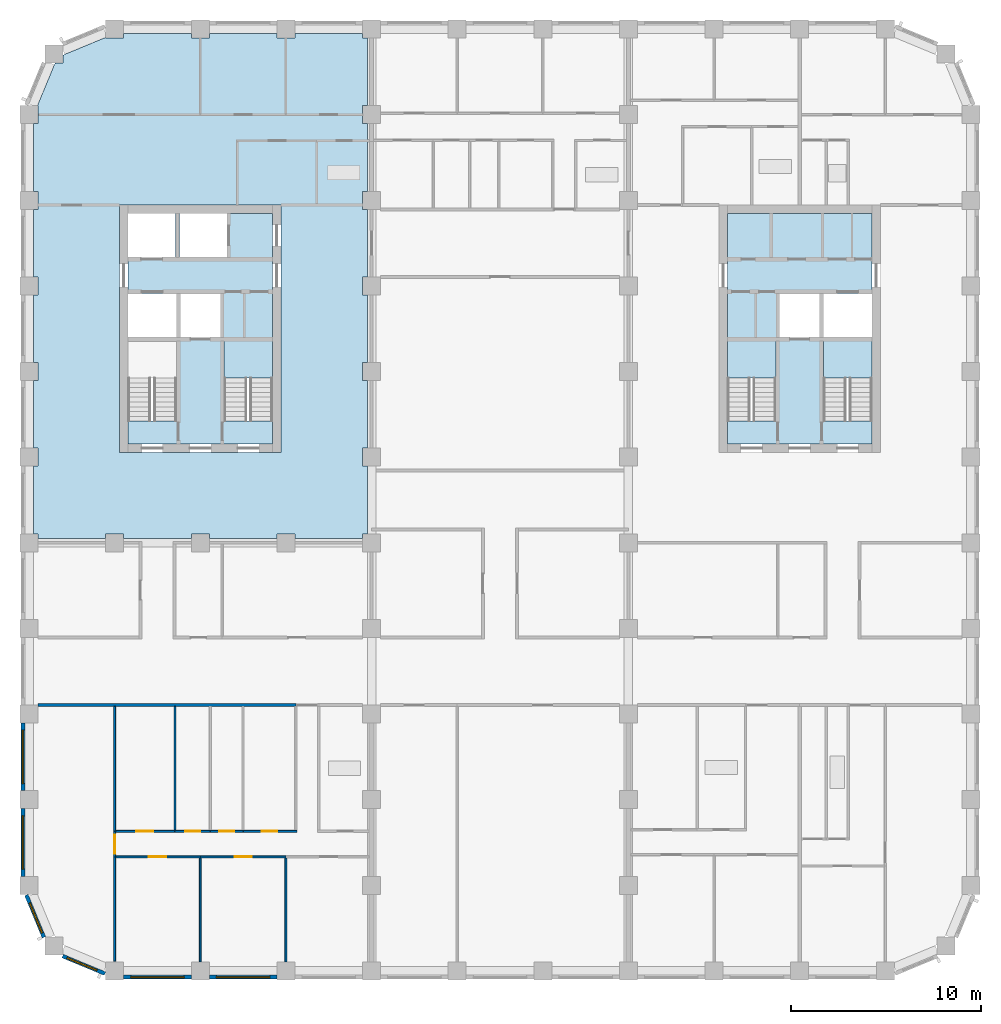
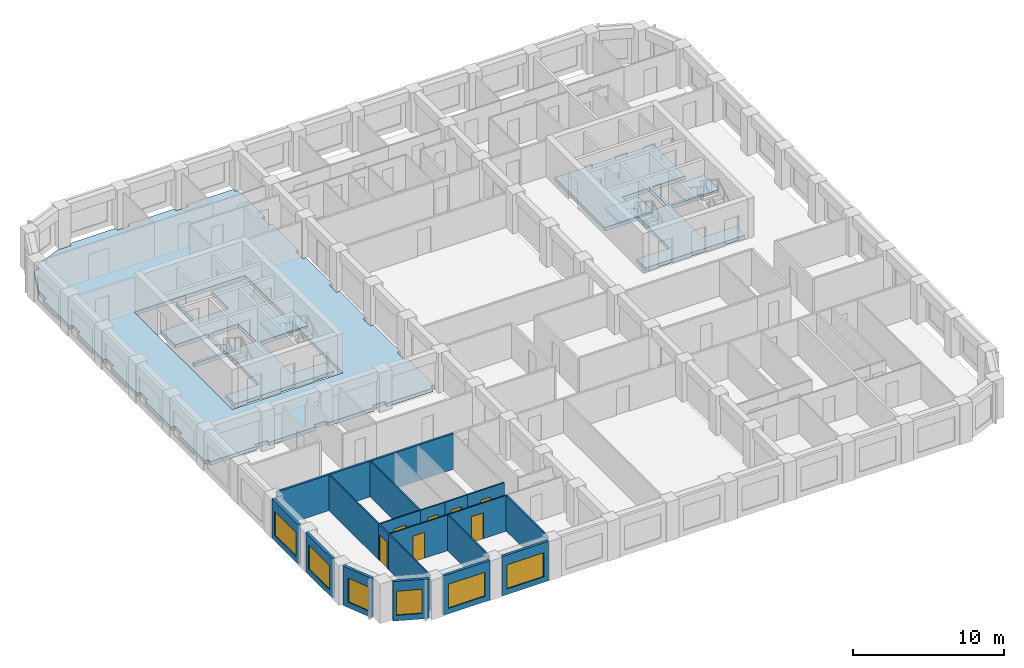
# One storey, part 2 of 13: 19 walls, 7 doors, 6 slabs, 6 windows, 13 openings, 3 elements without a shape of their own.
"""IFC4 building model written with IfcOpenShell, lengths in metres."""

from ifc_helpers import new_model, si_unit, direction, frame, frame_2d, origin, place, context, subcontext, project, spatial, polyline, rectangle, outline, extrude, material, layer, layer_set, type_object, element, fill, aggregate, save


model = new_model("IFC4")

# Units and contexts
model_context = context("Model", 3, precision=1e-05, world=origin(), true_north=direction((0.0, 1.0)))
body_context = subcontext(model_context, "Body", "Model", "MODEL_VIEW")
ifc_project = project(units=[si_unit("LENGTHUNIT", "METRE"), si_unit("AREAUNIT", "SQUARE_METRE"), si_unit("VOLUMEUNIT", "CUBIC_METRE"), si_unit("PLANEANGLEUNIT", "RADIAN"), si_unit("MASSUNIT", "GRAM", prefix="KILO")], contexts=[model_context])

# Site, building, storey
site_placement = place(None, origin())
site = spatial("IfcSite", under=ifc_project, at=site_placement, CompositionType="ELEMENT")
building_placement = place(site_placement, origin())
building = spatial("IfcBuilding", under=site, at=building_placement, Name="Girih Gate Residences", CompositionType="ELEMENT")
storey_placement = place(building_placement, frame((0.0, 0.0, 133.39990234375)))
storey = spatial("IfcBuildingStorey", under=building, at=storey_placement, Name="L37", CompositionType="ELEMENT", Elevation=133.39990234375)

# Slabs
ifc_material_1 = material(Name="Concrete C40/50", Category="concrete")
ifc_layer_1 = layer(ifc_material_1, 0.300048828125)
ifc_layer_set_1 = layer_set([ifc_layer_1], Name="Core floor slab 300")
slab_type_1 = type_object("IfcSlabType", Name="Core floor slab 300", PredefinedType="FLOOR", material=ifc_layer_set_1)
slab_1_placement = place(storey_placement, frame((0.0, 0.0, -0.2998046875)))
element("IfcSlab", 1, at=slab_1_placement, inside=storey, type_object=slab_type_1, Name="L37 W core floor", PredefinedType="FLOOR", context=body_context, shape_type="SweptSolid", body=[
    extrude(outline(polyline([(12.800048828125, 27.699951171875), (5.199951171875, 27.699951171875), (5.199951171875, 28.900634765625), (7.75, 28.900634765625), (7.75, 33.10009765625), (5.199951171875, 33.10009765625), (5.199951171875, 33.300048828125), (7.75, 33.300048828125), (7.75, 35.60009765625), (5.199951171875, 35.60009765625), (5.199951171875, 37.5), (7.699951171875, 37.5), (7.699951171875, 39.800048828125), (7.89990234375, 39.800048828125), (7.89990234375, 37.5), (10.39990234375, 37.5), (10.39990234375, 39.800048828125), (12.800048828125, 39.800048828125), (12.800048828125, 33.10009765625), (10.25, 33.10009765625), (10.25, 28.900634765625), (12.800048828125, 28.900634765625), (12.800048828125, 27.699951171875)]), holes=[polyline([(7.949951171875, 33.300048828125), (10.050048828125, 33.300048828125), (10.050048828125, 35.60009765625), (7.949951171875, 35.60009765625), (7.949951171875, 33.300048828125)])]), origin(), (0.0, 0.0, 1.0), 0.2998046875),
])
slab_2_placement = place(storey_placement, frame((0.0, 0.0, -0.2998046875)))
element("IfcSlab", 2, at=slab_2_placement, inside=storey, type_object=slab_type_1, Name="L37 E core floor", PredefinedType="FLOOR", context=body_context, shape_type="SweptSolid", body=[
    extrude(outline(polyline([(44.300048828125, 27.699951171875), (36.699951171875, 27.699951171875), (36.699951171875, 28.900634765625), (39.25, 28.900634765625), (39.25, 33.10009765625), (36.699951171875, 33.10009765625), (36.699951171875, 39.800048828125), (44.300048828125, 39.800048828125), (44.300048828125, 35.60009765625), (41.75, 35.60009765625), (41.75, 33.300048828125), (44.300048828125, 33.300048828125), (44.300048828125, 33.10009765625), (41.75, 33.10009765625), (41.75, 28.900634765625), (44.300048828125, 28.900634765625), (44.300048828125, 27.699951171875)]), holes=[polyline([(39.449951171875, 33.300048828125), (41.550048828125, 33.300048828125), (41.550048828125, 35.60009765625), (39.449951171875, 35.60009765625), (39.449951171875, 33.300048828125)])]), origin(), (0.0, 0.0, 1.0), 0.2998046875),
])
ifc_layer_2 = layer(ifc_material_1, 0.300048828125)
ifc_layer_set_2 = layer_set([ifc_layer_2], Name="Floor slab PT 300 Concrete C40/50")
slab_type_2 = type_object("IfcSlabType", Name="Floor slab PT 300 Concrete C40/50", PredefinedType="FLOOR", material=ifc_layer_set_2)
slab_3_placement = place(storey_placement, frame((0.0, 0.0, -0.2998046875)))
element("IfcSlab", 3, at=slab_3_placement, inside=storey, type_object=slab_type_2, Name="Floor slab L37 3", PredefinedType="FLOOR", context=body_context, shape_type="SweptSolid", body=[
    extrude(outline(polyline([(0.22509765625, 26.52490234375), (0.22509765625, 22.97509765625), (0.47509765625, 22.97509765625), (0.47509765625, 22.72509765625), (4.02490234375, 22.72509765625), (4.02490234375, 22.97509765625), (4.97509765625, 22.97509765625), (4.97509765625, 22.72509765625), (8.52490234375, 22.72509765625), (8.52490234375, 22.97509765625), (9.47509765625, 22.97509765625), (9.47509765625, 22.72509765625), (13.02490234375, 22.72509765625), (13.02490234375, 22.97509765625), (13.97509765625, 22.97509765625), (13.97509765625, 22.72509765625), (17.52490234375, 22.72509765625), (17.52490234375, 22.97509765625), (17.77490234375, 22.97509765625), (17.77490234375, 26.52490234375), (17.52490234375, 26.52490234375), (17.52490234375, 27.47509765625), (17.77490234375, 27.47509765625), (17.77490234375, 31.02490234375), (17.52490234375, 31.02490234375), (17.52490234375, 31.97509765625), (17.77490234375, 31.97509765625), (17.77490234375, 35.52490234375), (17.52490234375, 35.52490234375), (17.52490234375, 36.47509765625), (17.77490234375, 36.47509765625), (17.77490234375, 40.02490234375), (17.52490234375, 40.02490234375), (17.52490234375, 40.97509765625), (17.77490234375, 40.97509765625), (17.77490234375, 44.52490234375), (17.52490234375, 44.52490234375), (17.52490234375, 45.47509765625), (17.77490234375, 45.47509765625), (17.77490234375, 49.02490234375), (17.52490234375, 49.02490234375), (17.52490234375, 49.27490234375), (13.97509765625, 49.27490234375), (13.97509765625, 49.02490234375), (13.02490234375, 49.02490234375), (13.02490234375, 49.27490234375), (9.47509765625, 49.27490234375), (9.47509765625, 49.02490234375), (8.52490234375, 49.02490234375), (8.52490234375, 49.27490234375), (4.97509765625, 49.27490234375), (4.97509765625, 49.02490234375), (4.02490234375, 49.02490234375), (4.02490234375, 49.059814453125), (1.79296875, 48.13525390625), (1.79296875, 47.70703125), (1.36474609375, 47.70703125), (0.440185546875, 45.47509765625), (0.47509765625, 45.47509765625), (0.47509765625, 44.52490234375), (0.22509765625, 44.52490234375), (0.22509765625, 40.97509765625), (0.47509765625, 40.97509765625), (0.47509765625, 40.02490234375), (0.22509765625, 40.02490234375), (0.22509765625, 36.47509765625), (0.47509765625, 36.47509765625), (0.47509765625, 35.52490234375), (0.22509765625, 35.52490234375), (0.22509765625, 31.97509765625), (0.47509765625, 31.97509765625), (0.47509765625, 31.02490234375), (0.22509765625, 31.02490234375), (0.22509765625, 27.47509765625), (0.47509765625, 27.47509765625), (0.47509765625, 26.52490234375), (0.22509765625, 26.52490234375)]), holes=[polyline([(13.25, 40.25), (13.25, 27.25), (4.75, 27.25), (4.75, 40.25), (13.25, 40.25)])]), origin(), (0.0, 0.0, 1.0), 0.2998046875),
])

# Stair, slab
stair_type = type_object("IfcStairType", Name="Exit stair", PredefinedType="HALF_TURN_STAIR", material=ifc_material_1)
stair_1_placement = place(storey_placement, origin())
stair_1 = element("IfcStair", 4, at=stair_1_placement, inside=storey, type_object=stair_type, Name="L37 Exit Stair ST-W2", PredefinedType="HALF_TURN_STAIR")
ifc_layer_3 = layer(ifc_material_1, 0.199951171875)
ifc_layer_set_3 = layer_set([ifc_layer_3], Name="Stair landing 200")
slab_type_3 = type_object("IfcSlabType", Name="Stair landing 200", PredefinedType="LANDING", material=ifc_layer_set_3)
slab_4_placement = place(storey_placement, frame((0.0, 0.0, 1.400146484375)))
slab_4 = element("IfcSlab", 5, at=slab_4_placement, type_object=slab_type_3, Name="ST-W2 landing 1", PredefinedType="LANDING", context=body_context, shape_type="SweptSolid", body=[
    extrude(outline(polyline([(12.800048828125, 31.14990234375), (12.800048828125, 33.10009765625), (10.25, 33.10009765625), (10.25, 31.14990234375), (12.800048828125, 31.14990234375)])), origin(), (0.0, 0.0, 1.0), 0.199951171875),
])
aggregate(stair_1, [slab_4])

stair_2_placement = place(storey_placement, origin())
stair_2 = element("IfcStair", 6, at=stair_2_placement, inside=storey, type_object=stair_type, Name="L37 Exit Stair ST-E1", PredefinedType="HALF_TURN_STAIR")
slab_5_placement = place(storey_placement, frame((0.0, 0.0, 1.400146484375)))
slab_5 = element("IfcSlab", 7, at=slab_5_placement, type_object=slab_type_3, Name="ST-E1 landing 1", PredefinedType="LANDING", context=body_context, shape_type="SweptSolid", body=[
    extrude(outline(polyline([(44.300048828125, 31.14990234375), (44.300048828125, 33.10009765625), (41.75, 33.10009765625), (41.75, 31.14990234375), (44.300048828125, 31.14990234375)])), origin(), (0.0, 0.0, 1.0), 0.199951171875),
])
aggregate(stair_2, [slab_5])

stair_3_placement = place(storey_placement, origin())
stair_3 = element("IfcStair", 8, at=stair_3_placement, inside=storey, type_object=stair_type, Name="L37 Exit Stair ST-E2", PredefinedType="HALF_TURN_STAIR")
slab_6_placement = place(storey_placement, frame((0.0, 0.0, 1.400146484375)))
slab_6 = element("IfcSlab", 9, at=slab_6_placement, type_object=slab_type_3, Name="ST-E2 landing 1", PredefinedType="LANDING", context=body_context, shape_type="SweptSolid", body=[
    extrude(outline(polyline([(39.25, 31.14990234375), (39.25, 33.10009765625), (36.699951171875, 33.10009765625), (36.699951171875, 31.14990234375), (39.25, 31.14990234375)])), origin(), (0.0, 0.0, 1.0), 0.199951171875),
])
aggregate(stair_3, [slab_6])

# Walls
ifc_material_2 = material(Name="Gypsum board on steel studs", Category="steel")
ifc_layer_4 = layer(ifc_material_2, 0.14990234375)
ifc_layer_set_4 = layer_set([ifc_layer_4], Name="Compartment wall 150 mm")
wall_type_1 = type_object("IfcWallType", Name="Compartment wall 150 mm", PredefinedType="PARTITIONING", material=ifc_layer_set_4)
wall_1_placement = place(storey_placement, frame((0.47509765625, 13.97509765625, 0.0), z_axis=(0.0, 0.0, 1.0), x_axis=(1.0, 0.0, 0.0)))
element("IfcWall", 10, at=wall_1_placement, inside=storey, type_object=wall_type_1, Name="L37 partition", PredefinedType="PARTITIONING", context=body_context, shape_type="SweptSolid", body=[
    extrude(rectangle(XDim=13.5498046875, YDim=0.14990234375, at=frame_2d((6.77490234375, 0.0))), origin(), (0.0, 0.0, 1.0), 2.900146484375),
])
ifc_layer_5 = layer(ifc_material_2, 0.10009765625)
ifc_layer_set_5 = layer_set([ifc_layer_5], Name="Partition 100 mm")
wall_type_2 = type_object("IfcWallType", Name="Partition 100 mm", PredefinedType="PARTITIONING", material=ifc_layer_set_5)
wall_2_placement = place(storey_placement, frame((9.0, 0.47509765625, 0.0), z_axis=(0.0, 0.0, 1.0), x_axis=(0.0, 1.0, 0.0)))
element("IfcWall", 11, at=wall_2_placement, inside=storey, type_object=wall_type_2, Name="L37 partition", PredefinedType="PARTITIONING", context=body_context, shape_type="SweptSolid", body=[
    extrude(rectangle(XDim=5.469970703125, YDim=0.10009765625, at=frame_2d((2.73486328125, 0.0))), origin(), (0.0, 0.0, 1.0), 2.900146484375),
])

# Wall, opening, door
wall_3_placement = place(storey_placement, frame((9.0, 5.9951171875, 0.0), z_axis=(0.0, 0.0, 1.0), x_axis=(-1.0, 0.0, 0.0)))
wall_3 = element("IfcWall", 12, at=wall_3_placement, inside=storey, type_object=wall_type_2, Name="L37 partition", PredefinedType="PARTITIONING", context=body_context, shape_type="SweptSolid", body=[
    extrude(rectangle(XDim=4.449951171875, YDim=0.10009765625, at=frame_2d((2.22509765625, 0.0))), origin(), (0.0, 0.0, 1.0), 2.900146484375),
])
opening_1_placement = place(wall_3_placement, frame((1.800048828125, 0.0, 0.0)))
opening_1 = element("IfcOpeningElement", 13, at=opening_1_placement, cuts=wall_3, Name="Opening A37-002", PredefinedType="OPENING", context=body_context, shape_type="SweptSolid", body=[
    extrude(rectangle(XDim=0.89990234375, YDim=2.10009765625, at=frame_2d((0.449951171875, 1.050048828125))), frame((0.0, 0.06005859375, 0.0), z_axis=(0.0, -1.0, 0.0), x_axis=(1.0, 0.0, 0.0)), (0.0, 0.0, 1.0), 0.1201171875),
])
ifc_material_3 = material(Name="Timber", Category="wood")
door_type_1 = type_object("IfcDoorType", Name="Bedroom door 900x2100", OperationType="NOTDEFINED", PredefinedType="DOOR", material=ifc_material_3)
door_1_placement = place(opening_1_placement, origin())
door_1 = element("IfcDoor", 14, at=door_1_placement, inside=storey, type_object=door_type_1, Name="Door A37-002", OperationType="SINGLE_SWING_RIGHT", OverallHeight=2.10009765625, OverallWidth=0.89990234375, PredefinedType="DOOR", context=body_context, shape_type="SweptSolid", body=[
    extrude(rectangle(XDim=0.89990234375, YDim=2.10009765625, at=frame_2d((0.449951171875, 1.050048828125))), frame((0.0, 0.02490234375, 0.0), z_axis=(0.0, -1.0, 0.0), x_axis=(1.0, 0.0, 0.0)), (0.0, 0.0, 1.0), 0.050048828125),
])
fill(opening_1, door_1)

# Walls
wall_4_placement = place(storey_placement, frame((4.5, 0.51416015625, 0.0), z_axis=(0.0, 0.0, 1.0), x_axis=(0.0, 1.0, 0.0)))
element("IfcWall", 15, at=wall_4_placement, inside=storey, type_object=wall_type_2, Name="L37 partition", PredefinedType="PARTITIONING", context=body_context, shape_type="SweptSolid", body=[
    extrude(rectangle(XDim=5.48095703125, YDim=0.10009765625, at=frame_2d((2.740478515625, 0.0))), origin(), (0.0, 0.0, 1.0), 2.900146484375),
])
wall_5_placement = place(storey_placement, frame((13.5, 0.47509765625, 0.0), z_axis=(0.0, 0.0, 1.0), x_axis=(0.0, 1.0, 0.0)))
element("IfcWall", 16, at=wall_5_placement, inside=storey, type_object=wall_type_2, Name="L37 partition", PredefinedType="PARTITIONING", context=body_context, shape_type="SweptSolid", body=[
    extrude(rectangle(XDim=5.469970703125, YDim=0.10009765625, at=frame_2d((2.73486328125, 0.0))), origin(), (0.0, 0.0, 1.0), 2.900146484375),
])

# Wall, opening, door
wall_6_placement = place(storey_placement, frame((13.5, 5.9951171875, 0.0), z_axis=(0.0, 0.0, 1.0), x_axis=(-1.0, 0.0, 0.0)))
wall_6 = element("IfcWall", 17, at=wall_6_placement, inside=storey, type_object=wall_type_2, Name="L37 partition", PredefinedType="PARTITIONING", context=body_context, shape_type="SweptSolid", body=[
    extrude(rectangle(XDim=4.5, YDim=0.10009765625, at=frame_2d((2.25, 0.0))), origin(), (0.0, 0.0, 1.0), 2.900146484375),
])
opening_2_placement = place(wall_6_placement, frame((1.800048828125, 0.0, 0.0)))
opening_2 = element("IfcOpeningElement", 18, at=opening_2_placement, cuts=wall_6, Name="Opening A37-003", PredefinedType="OPENING", context=body_context, shape_type="SweptSolid", body=[
    extrude(rectangle(XDim=0.89990234375, YDim=2.10009765625, at=frame_2d((0.449951171875, 1.050048828125))), frame((0.0, 0.06005859375, 0.0), z_axis=(0.0, -1.0, 0.0), x_axis=(1.0, 0.0, 0.0)), (0.0, 0.0, 1.0), 0.1201171875),
])
door_2_placement = place(opening_2_placement, origin())
door_2 = element("IfcDoor", 19, at=door_2_placement, inside=storey, type_object=door_type_1, Name="Door A37-003", OperationType="SINGLE_SWING_LEFT", OverallHeight=2.10009765625, OverallWidth=0.89990234375, PredefinedType="DOOR", context=body_context, shape_type="SweptSolid", body=[
    extrude(rectangle(XDim=0.89990234375, YDim=2.10009765625, at=frame_2d((0.449951171875, 1.050048828125))), frame((0.0, 0.02490234375, 0.0), z_axis=(0.0, -1.0, 0.0), x_axis=(1.0, 0.0, 0.0)), (0.0, 0.0, 1.0), 0.050048828125),
])
fill(opening_2, door_2)

wall_7_placement = place(storey_placement, frame((11.24560546875, 7.3349609375, 0.0), z_axis=(0.0, 0.0, 1.0), x_axis=(1.0, 0.0, 0.0)))
wall_7 = element("IfcWall", 20, at=wall_7_placement, inside=storey, type_object=wall_type_2, Name="L37 partition", PredefinedType="PARTITIONING", context=body_context, shape_type="SweptSolid", body=[
    extrude(rectangle(XDim=2.829345703125, YDim=0.10009765625, at=frame_2d((1.41455078125, 0.0))), origin(), (0.0, 0.0, 1.0), 2.900146484375),
])
opening_3_placement = place(wall_7_placement, frame((0.98974609375, 0.0, 0.0)))
opening_3 = element("IfcOpeningElement", 21, at=opening_3_placement, cuts=wall_7, Name="Opening A37-005", PredefinedType="OPENING", context=body_context, shape_type="SweptSolid", body=[
    extrude(rectangle(XDim=0.800048828125, YDim=2.10009765625, at=frame_2d((0.39990234375, 1.050048828125))), frame((0.0, 0.06005859375, 0.0), z_axis=(0.0, -1.0, 0.0), x_axis=(1.0, 0.0, 0.0)), (0.0, 0.0, 1.0), 0.1201171875),
])
door_type_2 = type_object("IfcDoorType", Name="Store door 800x2100", OperationType="NOTDEFINED", PredefinedType="DOOR", material=ifc_material_3)
door_3_placement = place(opening_3_placement, origin())
door_3 = element("IfcDoor", 22, at=door_3_placement, inside=storey, type_object=door_type_2, Name="Door A37-005", OperationType="SINGLE_SWING_LEFT", OverallHeight=2.10009765625, OverallWidth=0.800048828125, PredefinedType="DOOR", context=body_context, shape_type="SweptSolid", body=[
    extrude(rectangle(XDim=0.800048828125, YDim=2.10009765625, at=frame_2d((0.39990234375, 1.050048828125))), frame((0.0, 0.02490234375, 0.0), z_axis=(0.0, -1.0, 0.0), x_axis=(1.0, 0.0, 0.0)), (0.0, 0.0, 1.0), 0.050048828125),
])
fill(opening_3, door_3)

wall_8_placement = place(storey_placement, frame((4.550048828125, 7.3349609375, 0.0), z_axis=(0.0, 0.0, 1.0), x_axis=(1.0, 0.0, 0.0)))
wall_8 = element("IfcWall", 23, at=wall_8_placement, inside=storey, type_object=wall_type_2, Name="L37 partition", PredefinedType="PARTITIONING", context=body_context, shape_type="SweptSolid", body=[
    extrude(rectangle(XDim=3.120361328125, YDim=0.10009765625, at=frame_2d((1.56005859375, 0.0))), origin(), (0.0, 0.0, 1.0), 2.900146484375),
])
opening_4_placement = place(wall_8_placement, frame((1.085205078125, 0.0, 0.0)))
opening_4 = element("IfcOpeningElement", 24, at=opening_4_placement, cuts=wall_8, Name="Opening A37-006", PredefinedType="OPENING", context=body_context, shape_type="SweptSolid", body=[
    extrude(rectangle(XDim=0.89990234375, YDim=2.10009765625, at=frame_2d((0.449951171875, 1.050048828125))), frame((0.0, 0.06005859375, 0.0), z_axis=(0.0, -1.0, 0.0), x_axis=(1.0, 0.0, 0.0)), (0.0, 0.0, 1.0), 0.1201171875),
])
door_type_3 = type_object("IfcDoorType", Name="Kitchen door 900x2100", OperationType="NOTDEFINED", PredefinedType="DOOR", material=ifc_material_3)
door_4_placement = place(opening_4_placement, origin())
door_4 = element("IfcDoor", 25, at=door_4_placement, inside=storey, type_object=door_type_3, Name="Door A37-006", OperationType="SINGLE_SWING_LEFT", OverallHeight=2.10009765625, OverallWidth=0.89990234375, PredefinedType="DOOR", context=body_context, shape_type="SweptSolid", body=[
    extrude(rectangle(XDim=0.89990234375, YDim=2.10009765625, at=frame_2d((0.449951171875, 1.050048828125))), frame((0.0, 0.02490234375, 0.0), z_axis=(0.0, -1.0, 0.0), x_axis=(1.0, 0.0, 0.0)), (0.0, 0.0, 1.0), 0.050048828125),
])
fill(opening_4, door_4)

wall_9_placement = place(storey_placement, frame((4.5, 5.9951171875, 0.0), z_axis=(0.0, 0.0, 1.0), x_axis=(0.0, 1.0, 0.0)))
wall_9 = element("IfcWall", 26, at=wall_9_placement, inside=storey, type_object=wall_type_2, Name="L37 partition", PredefinedType="PARTITIONING", context=body_context, shape_type="SweptSolid", body=[
    extrude(rectangle(XDim=1.33984375, YDim=0.10009765625, at=frame_2d((0.669921875, 0.0))), origin(), (0.0, 0.0, 1.0), 2.900146484375),
])
opening_5_placement = place(wall_9_placement, frame((0.169921875, 0.0, 0.0)))
opening_5 = element("IfcOpeningElement", 27, at=opening_5_placement, cuts=wall_9, Name="Opening A37-007", PredefinedType="OPENING", context=body_context, shape_type="SweptSolid", body=[
    extrude(rectangle(XDim=1.0, YDim=2.10009765625, at=frame_2d((0.5, 1.050048828125))), frame((0.0, 0.06005859375, 0.0), z_axis=(0.0, -1.0, 0.0), x_axis=(1.0, 0.0, 0.0)), (0.0, 0.0, 1.0), 0.1201171875),
])
door_type_4 = type_object("IfcDoorType", Name="Living room door 1000x2100", OperationType="NOTDEFINED", PredefinedType="DOOR", material=ifc_material_3)
door_5_placement = place(opening_5_placement, origin())
door_5 = element("IfcDoor", 28, at=door_5_placement, inside=storey, type_object=door_type_4, Name="Door A37-007", OperationType="SINGLE_SWING_LEFT", OverallHeight=2.10009765625, OverallWidth=1.0, PredefinedType="DOOR", context=body_context, shape_type="SweptSolid", body=[
    extrude(rectangle(XDim=1.0, YDim=2.10009765625, at=frame_2d((0.5, 1.050048828125))), frame((0.0, 0.02490234375, 0.0), z_axis=(0.0, -1.0, 0.0), x_axis=(1.0, 0.0, 0.0)), (0.0, 0.0, 1.0), 0.050048828125),
])
fill(opening_5, door_5)

wall_10_placement = place(storey_placement, frame((9.5322265625, 7.3349609375, 0.0), z_axis=(0.0, 0.0, 1.0), x_axis=(1.0, 0.0, 0.0)))
wall_10 = element("IfcWall", 29, at=wall_10_placement, inside=storey, type_object=wall_type_2, Name="L37 partition", PredefinedType="PARTITIONING", context=body_context, shape_type="SweptSolid", body=[
    extrude(rectangle(XDim=1.71337890625, YDim=0.10009765625, at=frame_2d((0.856689453125, 0.0))), origin(), (0.0, 0.0, 1.0), 2.900146484375),
])
opening_6_placement = place(wall_10_placement, frame((0.456787109375, 0.0, 0.0)))
opening_6 = element("IfcOpeningElement", 30, at=opening_6_placement, cuts=wall_10, Name="Opening A37-008", PredefinedType="OPENING", context=body_context, shape_type="SweptSolid", body=[
    extrude(rectangle(XDim=0.800048828125, YDim=2.10009765625, at=frame_2d((0.39990234375, 1.050048828125))), frame((0.0, 0.06005859375, 0.0), z_axis=(0.0, -1.0, 0.0), x_axis=(1.0, 0.0, 0.0)), (0.0, 0.0, 1.0), 0.1201171875),
])
door_6_placement = place(opening_6_placement, origin())
door_6 = element("IfcDoor", 31, at=door_6_placement, inside=storey, type_object=door_type_2, Name="Door A37-008", OperationType="SINGLE_SWING_RIGHT", OverallHeight=2.10009765625, OverallWidth=0.800048828125, PredefinedType="DOOR", context=body_context, shape_type="SweptSolid", body=[
    extrude(rectangle(XDim=0.800048828125, YDim=2.10009765625, at=frame_2d((0.39990234375, 1.050048828125))), frame((0.0, 0.02490234375, 0.0), z_axis=(0.0, -1.0, 0.0), x_axis=(1.0, 0.0, 0.0)), (0.0, 0.0, 1.0), 0.050048828125),
])
fill(opening_6, door_6)

wall_11_placement = place(storey_placement, frame((7.67041015625, 7.3349609375, 0.0), z_axis=(0.0, 0.0, 1.0), x_axis=(1.0, 0.0, 0.0)))
wall_11 = element("IfcWall", 32, at=wall_11_placement, inside=storey, type_object=wall_type_2, Name="L37 partition", PredefinedType="PARTITIONING", context=body_context, shape_type="SweptSolid", body=[
    extrude(rectangle(XDim=1.86181640625, YDim=0.10009765625, at=frame_2d((0.930908203125, 0.0))), origin(), (0.0, 0.0, 1.0), 2.900146484375),
])
opening_7_placement = place(wall_11_placement, frame((0.531005859375, 0.0, 0.0)))
opening_7 = element("IfcOpeningElement", 33, at=opening_7_placement, cuts=wall_11, Name="Opening A37-009", PredefinedType="OPENING", context=body_context, shape_type="SweptSolid", body=[
    extrude(rectangle(XDim=0.800048828125, YDim=2.10009765625, at=frame_2d((0.39990234375, 1.050048828125))), frame((0.0, 0.06005859375, 0.0), z_axis=(0.0, -1.0, 0.0), x_axis=(1.0, 0.0, 0.0)), (0.0, 0.0, 1.0), 0.1201171875),
])
door_7_placement = place(opening_7_placement, origin())
door_7 = element("IfcDoor", 34, at=door_7_placement, inside=storey, type_object=door_type_2, Name="Door A37-009", OperationType="SINGLE_SWING_LEFT", OverallHeight=2.10009765625, OverallWidth=0.800048828125, PredefinedType="DOOR", context=body_context, shape_type="SweptSolid", body=[
    extrude(rectangle(XDim=0.800048828125, YDim=2.10009765625, at=frame_2d((0.39990234375, 1.050048828125))), frame((0.0, 0.02490234375, 0.0), z_axis=(0.0, -1.0, 0.0), x_axis=(1.0, 0.0, 0.0)), (0.0, 0.0, 1.0), 0.050048828125),
])
fill(opening_7, door_7)

# Walls
wall_12_placement = place(storey_placement, frame((4.5, 7.3349609375, 0.0), z_axis=(0.0, 0.0, 1.0), x_axis=(0.0, 1.0, 0.0)))
element("IfcWall", 35, at=wall_12_placement, inside=storey, type_object=wall_type_2, Name="L37 partition", PredefinedType="PARTITIONING", context=body_context, shape_type="SweptSolid", body=[
    extrude(rectangle(XDim=6.56494140625, YDim=0.10009765625, at=frame_2d((3.282470703125, 0.0))), origin(), (0.0, 0.0, 1.0), 2.900146484375),
])
wall_13_placement = place(storey_placement, frame((7.669921875, 7.385009765625, 0.0), z_axis=(0.0, 0.0, 1.0), x_axis=(0.0, 1.0, 0.0)))
element("IfcWall", 36, at=wall_13_placement, inside=storey, type_object=wall_type_2, Name="L37 partition", PredefinedType="PARTITIONING", context=body_context, shape_type="SweptSolid", body=[
    extrude(rectangle(XDim=6.514892578125, YDim=0.10009765625, at=frame_2d((3.25732421875, 0.0))), origin(), (0.0, 0.0, 1.0), 2.900146484375),
])

# Wall, opening, window
ifc_material_4 = material(Name="Precast concrete C50/60", Category="concrete")
ifc_layer_6 = layer(ifc_material_4, 0.06005859375, Name="Outer leaf")
ifc_material_5 = material(Name="Rigid PIR insulation")
ifc_layer_7 = layer(ifc_material_5, 0.090087890625, Name="Insulation")
ifc_material_6 = material(Name="Precast concrete C40/50", Category="concrete")
ifc_layer_8 = layer(ifc_material_6, 0.050048828125, Name="Inner leaf")
ifc_layer_set_6 = layer_set([ifc_layer_6, ifc_layer_7, ifc_layer_8], Name="Precast concrete C50/60 external wall 200")
wall_type_3 = type_object("IfcWallType", Name="Precast concrete C50/60 external wall 200", PredefinedType="SOLIDWALL", material=ifc_layer_set_6)
wall_14_placement = place(storey_placement, frame((0.7802734375, 1.76708984375, 0.0), z_axis=(0.0, 0.0, 1.0), x_axis=(-0.382680855588, 0.923880599843, 0.0)))
wall_14 = element("IfcWall", 37, at=wall_14_placement, inside=storey, type_object=wall_type_3, Name="External wall SW0000_0045.0", PredefinedType="SOLIDWALL", context=body_context, shape_type="SweptSolid", body=[
    extrude(rectangle(XDim=2.402587890625, YDim=0.199951171875, at=frame_2d((1.201171875, 0.0))), origin(), (0.0, 0.0, 1.0), 3.2001953125),
])
opening_8_placement = place(wall_14_placement, frame((0.25146484375, 0.0, 0.449951171875)))
opening_8 = element("IfcOpeningElement", 38, at=opening_8_placement, cuts=wall_14, Name="Opening W-2E", PredefinedType="OPENING", context=body_context, shape_type="SweptSolid", body=[
    extrude(rectangle(XDim=1.699951171875, YDim=1.949951171875, at=frame_2d((0.85009765625, 0.97509765625))), frame((0.0, 0.10986328125, 0.0), z_axis=(0.0, -1.0, 0.0), x_axis=(1.0, 0.0, 0.0)), (0.0, 0.0, 1.0), 0.219970703125),
])
ifc_material_7 = material(Name="Double glazing in aluminium frame", Category="aluminium")
window_type_1 = type_object("IfcWindowType", Name="Window W-2E 1700x1950", PartitioningType="SINGLE_PANEL", PredefinedType="WINDOW", material=ifc_material_7)
window_1_placement = place(opening_8_placement, origin())
window_1 = element("IfcWindow", 39, at=window_1_placement, inside=storey, type_object=window_type_1, Name="Window W-2E SW0000_0045.0", OverallHeight=1.949951171875, OverallWidth=1.699951171875, PartitioningType="SINGLE_PANEL", PredefinedType="WINDOW", context=body_context, shape_type="SweptSolid", body=[
    extrude(rectangle(XDim=1.699951171875, YDim=1.949951171875, at=frame_2d((0.85009765625, 0.97509765625))), frame((0.0, 0.030029296875, 0.0), z_axis=(0.0, -1.0, 0.0), x_axis=(1.0, 0.0, 0.0)), (0.0, 0.0, 1.0), 0.06005859375),
])
fill(opening_8, window_1)

wall_15_placement = place(storey_placement, frame((3.98681640625, -0.13916015625, 0.0), z_axis=(0.0, 0.0, 1.0), x_axis=(-0.923880599843, 0.382680855588, 0.0)))
wall_15 = element("IfcWall", 40, at=wall_15_placement, inside=storey, type_object=wall_type_3, Name="External wall SW0013_0013.0", PredefinedType="SOLIDWALL", context=body_context, shape_type="SweptSolid", body=[
    extrude(rectangle(XDim=2.402587890625, YDim=0.199951171875, at=frame_2d((1.201171875, 0.0))), origin(), (0.0, 0.0, 1.0), 3.2001953125),
])
opening_9_placement = place(wall_15_placement, frame((0.451171875, 0.0, 0.449951171875)))
opening_9 = element("IfcOpeningElement", 41, at=opening_9_placement, cuts=wall_15, Name="Opening W-2E", PredefinedType="OPENING", context=body_context, shape_type="SweptSolid", body=[
    extrude(rectangle(XDim=1.699951171875, YDim=1.949951171875, at=frame_2d((0.85009765625, 0.97509765625))), frame((0.0, 0.10986328125, 0.0), z_axis=(0.0, -1.0, 0.0), x_axis=(1.0, 0.0, 0.0)), (0.0, 0.0, 1.0), 0.219970703125),
])
window_2_placement = place(opening_9_placement, origin())
window_2 = element("IfcWindow", 42, at=window_2_placement, inside=storey, type_object=window_type_1, Name="Window W-2E SW0013_0013.0", OverallHeight=1.949951171875, OverallWidth=1.699951171875, PartitioningType="SINGLE_PANEL", PredefinedType="WINDOW", context=body_context, shape_type="SweptSolid", body=[
    extrude(rectangle(XDim=1.699951171875, YDim=1.949951171875, at=frame_2d((0.85009765625, 0.97509765625))), frame((0.0, 0.030029296875, 0.0), z_axis=(0.0, -1.0, 0.0), x_axis=(1.0, 0.0, 0.0)), (0.0, 0.0, 1.0), 0.06005859375),
])
fill(opening_9, window_2)

wall_16_placement = place(storey_placement, frame((8.52490234375, -0.324951171875, 0.0), z_axis=(0.0, 0.0, 1.0), x_axis=(-1.0, 0.0, 0.0)))
wall_16 = element("IfcWall", 43, at=wall_16_placement, inside=storey, type_object=wall_type_3, Name="External wall S0045_0000.0", PredefinedType="SOLIDWALL", context=body_context, shape_type="SweptSolid", body=[
    extrude(rectangle(XDim=3.5498046875, YDim=0.199951171875, at=frame_2d((1.77490234375, 0.0))), origin(), (0.0, 0.0, 1.0), 3.2001953125),
])
opening_10_placement = place(wall_16_placement, frame((0.375, 0.0, 0.449951171875)))
opening_10 = element("IfcOpeningElement", 44, at=opening_10_placement, cuts=wall_16, Name="Opening W-1B", PredefinedType="OPENING", context=body_context, shape_type="SweptSolid", body=[
    extrude(rectangle(XDim=2.800048828125, YDim=1.949951171875, at=frame_2d((1.39990234375, 0.97509765625))), frame((0.0, 0.10986328125, 0.0), z_axis=(0.0, -1.0, 0.0), x_axis=(1.0, 0.0, 0.0)), (0.0, 0.0, 1.0), 0.219970703125),
])
window_type_2 = type_object("IfcWindowType", Name="Window W-1B 2800x1950", PartitioningType="SINGLE_PANEL", PredefinedType="WINDOW", material=ifc_material_7)
window_3_placement = place(opening_10_placement, origin())
window_3 = element("IfcWindow", 45, at=window_3_placement, inside=storey, type_object=window_type_2, Name="Window W-1B S0045_0000.0", OverallHeight=1.949951171875, OverallWidth=2.800048828125, PartitioningType="SINGLE_PANEL", PredefinedType="WINDOW", context=body_context, shape_type="SweptSolid", body=[
    extrude(rectangle(XDim=2.800048828125, YDim=1.949951171875, at=frame_2d((1.39990234375, 0.97509765625))), frame((0.0, 0.030029296875, 0.0), z_axis=(0.0, -1.0, 0.0), x_axis=(1.0, 0.0, 0.0)), (0.0, 0.0, 1.0), 0.06005859375),
])
fill(opening_10, window_3)

wall_17_placement = place(storey_placement, frame((13.02490234375, -0.324951171875, 0.0), z_axis=(0.0, 0.0, 1.0), x_axis=(-1.0, 0.0, 0.0)))
wall_17 = element("IfcWall", 46, at=wall_17_placement, inside=storey, type_object=wall_type_3, Name="External wall S0045_0000.1", PredefinedType="SOLIDWALL", context=body_context, shape_type="SweptSolid", body=[
    extrude(rectangle(XDim=3.5498046875, YDim=0.199951171875, at=frame_2d((1.77490234375, 0.0))), origin(), (0.0, 0.0, 1.0), 3.2001953125),
])
opening_11_placement = place(wall_17_placement, frame((0.375, 0.0, 0.449951171875)))
opening_11 = element("IfcOpeningElement", 47, at=opening_11_placement, cuts=wall_17, Name="Opening W-1B", PredefinedType="OPENING", context=body_context, shape_type="SweptSolid", body=[
    extrude(rectangle(XDim=2.800048828125, YDim=1.949951171875, at=frame_2d((1.39990234375, 0.97509765625))), frame((0.0, 0.10986328125, 0.0), z_axis=(0.0, -1.0, 0.0), x_axis=(1.0, 0.0, 0.0)), (0.0, 0.0, 1.0), 0.219970703125),
])
window_4_placement = place(opening_11_placement, origin())
window_4 = element("IfcWindow", 48, at=window_4_placement, inside=storey, type_object=window_type_2, Name="Window W-1B S0045_0000.1", OverallHeight=1.949951171875, OverallWidth=2.800048828125, PartitioningType="SINGLE_PANEL", PredefinedType="WINDOW", context=body_context, shape_type="SweptSolid", body=[
    extrude(rectangle(XDim=2.800048828125, YDim=1.949951171875, at=frame_2d((1.39990234375, 0.97509765625))), frame((0.0, 0.030029296875, 0.0), z_axis=(0.0, -1.0, 0.0), x_axis=(1.0, 0.0, 0.0)), (0.0, 0.0, 1.0), 0.06005859375),
])
fill(opening_11, window_4)

wall_18_placement = place(storey_placement, frame((-0.324951171875, 9.47509765625, 0.0), z_axis=(0.0, 0.0, 1.0), x_axis=(0.0, 1.0, 0.0)))
wall_18 = element("IfcWall", 49, at=wall_18_placement, inside=storey, type_object=wall_type_3, Name="External wall W0000_0450.7", PredefinedType="SOLIDWALL", context=body_context, shape_type="SweptSolid", body=[
    extrude(rectangle(XDim=3.5498046875, YDim=0.199951171875, at=frame_2d((1.77490234375, 0.0))), origin(), (0.0, 0.0, 1.0), 3.2001953125),
])
opening_12_placement = place(wall_18_placement, frame((0.375, 0.0, 0.449951171875)))
opening_12 = element("IfcOpeningElement", 50, at=opening_12_placement, cuts=wall_18, Name="Opening W-1B", PredefinedType="OPENING", context=body_context, shape_type="SweptSolid", body=[
    extrude(rectangle(XDim=2.800048828125, YDim=1.949951171875, at=frame_2d((1.39990234375, 0.97509765625))), frame((0.0, 0.10986328125, 0.0), z_axis=(0.0, -1.0, 0.0), x_axis=(1.0, 0.0, 0.0)), (0.0, 0.0, 1.0), 0.219970703125),
])
window_5_placement = place(opening_12_placement, origin())
window_5 = element("IfcWindow", 51, at=window_5_placement, inside=storey, type_object=window_type_2, Name="Window W-1B W0000_0450.7", OverallHeight=1.949951171875, OverallWidth=2.800048828125, PartitioningType="SINGLE_PANEL", PredefinedType="WINDOW", context=body_context, shape_type="SweptSolid", body=[
    extrude(rectangle(XDim=2.800048828125, YDim=1.949951171875, at=frame_2d((1.39990234375, 0.97509765625))), frame((0.0, 0.030029296875, 0.0), z_axis=(0.0, -1.0, 0.0), x_axis=(1.0, 0.0, 0.0)), (0.0, 0.0, 1.0), 0.06005859375),
])
fill(opening_12, window_5)

wall_19_placement = place(storey_placement, frame((-0.324951171875, 4.97509765625, 0.0), z_axis=(0.0, 0.0, 1.0), x_axis=(0.0, 1.0, 0.0)))
wall_19 = element("IfcWall", 52, at=wall_19_placement, inside=storey, type_object=wall_type_3, Name="External wall W0000_0450.8", PredefinedType="SOLIDWALL", context=body_context, shape_type="SweptSolid", body=[
    extrude(rectangle(XDim=3.5498046875, YDim=0.199951171875, at=frame_2d((1.77490234375, 0.0))), origin(), (0.0, 0.0, 1.0), 3.2001953125),
])
opening_13_placement = place(wall_19_placement, frame((0.375, 0.0, 0.449951171875)))
opening_13 = element("IfcOpeningElement", 53, at=opening_13_placement, cuts=wall_19, Name="Opening W-1B", PredefinedType="OPENING", context=body_context, shape_type="SweptSolid", body=[
    extrude(rectangle(XDim=2.800048828125, YDim=1.949951171875, at=frame_2d((1.39990234375, 0.97509765625))), frame((0.0, 0.10986328125, 0.0), z_axis=(0.0, -1.0, 0.0), x_axis=(1.0, 0.0, 0.0)), (0.0, 0.0, 1.0), 0.219970703125),
])
window_6_placement = place(opening_13_placement, origin())
window_6 = element("IfcWindow", 54, at=window_6_placement, inside=storey, type_object=window_type_2, Name="Window W-1B W0000_0450.8", OverallHeight=1.949951171875, OverallWidth=2.800048828125, PartitioningType="SINGLE_PANEL", PredefinedType="WINDOW", context=body_context, shape_type="SweptSolid", body=[
    extrude(rectangle(XDim=2.800048828125, YDim=1.949951171875, at=frame_2d((1.39990234375, 0.97509765625))), frame((0.0, 0.030029296875, 0.0), z_axis=(0.0, -1.0, 0.0), x_axis=(1.0, 0.0, 0.0)), (0.0, 0.0, 1.0), 0.06005859375),
])
fill(opening_13, window_6)

save(model, "model.ifc")
